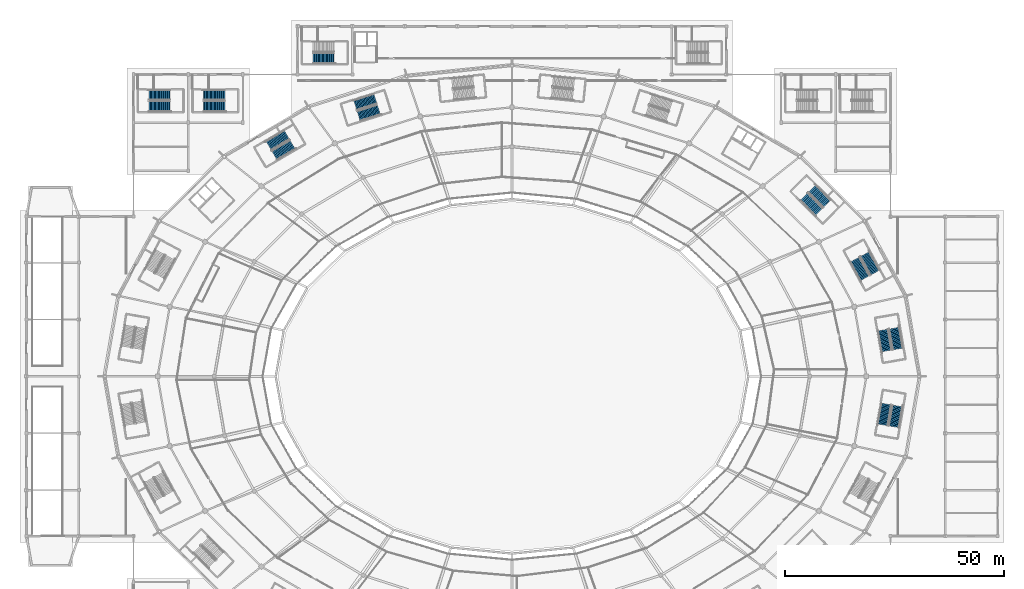
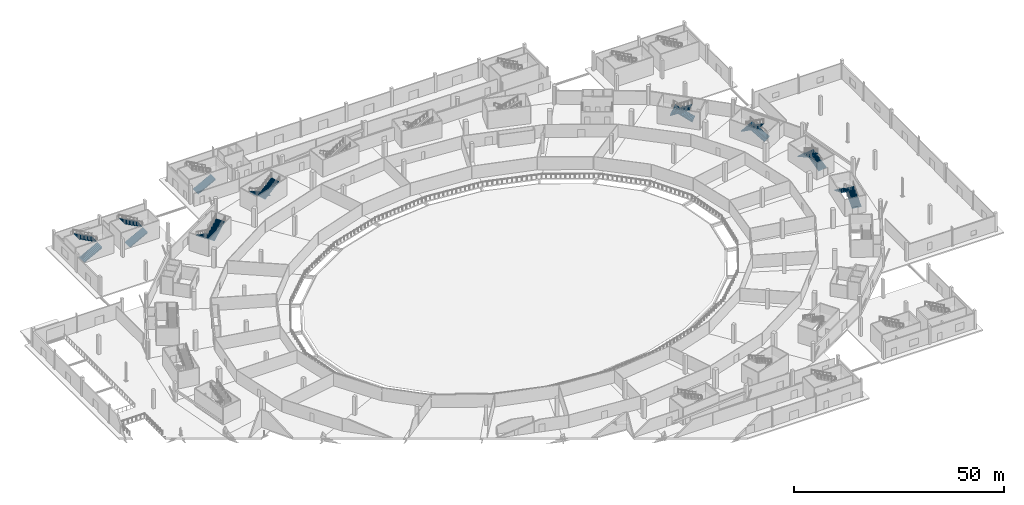
# One storey, part 56 of 82: 17 stair flights, 9 elements without a shape of their own.
"""IFC4 building model written with IfcOpenShell, lengths in metres."""

from ifc_helpers import new_model, si_unit, direction, frame, origin, place, context, subcontext, project, spatial, polyline, outline, extrude, material, type_object, element, aggregate, save


model = new_model("IFC4")

# Units and contexts
model_context = context("Model", 3, precision=1e-05, world=origin(), true_north=direction((0.0, 1.0)))
body_context = subcontext(model_context, "Body", "Model", "MODEL_VIEW")
ifc_project = project(units=[si_unit("LENGTHUNIT", "METRE"), si_unit("AREAUNIT", "SQUARE_METRE"), si_unit("VOLUMEUNIT", "CUBIC_METRE"), si_unit("PLANEANGLEUNIT", "RADIAN"), si_unit("MASSUNIT", "GRAM", prefix="KILO")], contexts=[model_context])

# Site, building, storey
site_placement = place(None, origin())
site = spatial("IfcSite", under=ifc_project, at=site_placement, CompositionType="ELEMENT")
building_placement = place(site_placement, origin())
building = spatial("IfcBuilding", under=site, at=building_placement, Name="Zlatoyarsky Gate Stadium", CompositionType="ELEMENT")
storey_placement = place(building_placement, origin())
storey = spatial("IfcBuildingStorey", under=building, at=storey_placement, Name="L00", CompositionType="ELEMENT", Elevation=0.0)

# Stair, stair flights
ifc_material = material(Name="Concrete C40/50", Category="concrete")
stair_type = type_object("IfcStairType", Name="CONCRETE DOGLEG EXIT STAIR H5400", PredefinedType="TWO_STRAIGHT_RUN_STAIR", material=ifc_material)
stair_1_placement = place(storey_placement, origin())
stair_1 = element("IfcStair", 1, at=stair_1_placement, inside=storey, type_object=stair_type, Name="L00 Exit Stair ST-01", PredefinedType="TWO_STRAIGHT_RUN_STAIR")
stair_flight_type = type_object("IfcStairFlightType", Name="CONCRETE STAIR FLIGHT 2400 H5400", PredefinedType="STRAIGHT", material=ifc_material)
stair_flight_1_placement = place(storey_placement, frame((199.19287109375, 86.28125, 0.0), z_axis=(0.0, 0.0, 1.0), x_axis=(-0.169937754623, 0.985454798331, 0.0)))
stair_flight_1 = element("IfcStairFlight", 2, at=stair_flight_1_placement, type_object=stair_flight_type, Name="ST-DG54 flight 1", NumberOfRisers=17, NumberOfTreads=16, PredefinedType="STRAIGHT", RiserHeight=0.158823529, TreadLength=0.3, context=body_context, shape_type="SweptSolid", body=[
    extrude(outline(polyline([(-0.006103515625, -0.180908203125), (-0.006103515625, 0.0), (0.0, 0.0), (0.0, 0.158935546875), (0.300048828125, 0.158935546875), (0.300048828125, 0.317626953125), (0.60009765625, 0.317626953125), (0.60009765625, 0.4765625), (0.89990234375, 0.4765625), (0.89990234375, 0.63525390625), (1.199951171875, 0.63525390625), (1.199951171875, 0.794189453125), (1.5, 0.794189453125), (1.5, 0.952880859375), (1.800048828125, 0.952880859375), (1.800048828125, 1.11181640625), (2.10009765625, 1.11181640625), (2.10009765625, 1.2705078125), (2.39990234375, 1.2705078125), (2.39990234375, 1.429443359375), (2.699951171875, 1.429443359375), (2.699951171875, 1.588134765625), (3.0, 1.588134765625), (3.0, 1.7470703125), (3.300048828125, 1.7470703125), (3.300048828125, 1.90576171875), (3.60009765625, 1.90576171875), (3.60009765625, 2.064697265625), (3.89990234375, 2.064697265625), (3.89990234375, 2.2236328125), (4.199951171875, 2.2236328125), (4.199951171875, 2.38232421875), (4.5, 2.38232421875), (4.5, 2.541259765625), (4.800048828125, 2.541259765625), (4.800048828125, 2.699951171875), (4.805908203125, 2.699951171875), (4.805908203125, 2.3603515625), (4.800048828125, 2.3603515625), (-0.006103515625, -0.180908203125)])), frame((0.0, 1.199951171875, 0.0), z_axis=(0.0, -1.0, 0.0), x_axis=(1.0, 0.0, 0.0)), (0.0, 0.0, 1.0), 2.39990234375),
])
stair_flight_2_placement = place(storey_placement, frame((195.81494140625, 90.569580078125, 2.699951171875), z_axis=(0.0, 0.0, 1.0), x_axis=(0.169937754623, -0.985454798331, 0.0)))
stair_flight_2 = element("IfcStairFlight", 3, at=stair_flight_2_placement, type_object=stair_flight_type, Name="ST-DG54 flight 2", NumberOfRisers=17, NumberOfTreads=16, PredefinedType="STRAIGHT", RiserHeight=0.158823529, TreadLength=0.3, context=body_context, shape_type="SweptSolid", body=[
    extrude(outline(polyline([(-0.006103515625, -0.180908203125), (-0.006103515625, 0.0), (0.0, 0.0), (0.0, 0.158935546875), (0.300048828125, 0.158935546875), (0.300048828125, 0.317626953125), (0.60009765625, 0.317626953125), (0.60009765625, 0.4765625), (0.89990234375, 0.4765625), (0.89990234375, 0.63525390625), (1.199951171875, 0.63525390625), (1.199951171875, 0.794189453125), (1.5, 0.794189453125), (1.5, 0.952880859375), (1.800048828125, 0.952880859375), (1.800048828125, 1.11181640625), (2.10009765625, 1.11181640625), (2.10009765625, 1.2705078125), (2.39990234375, 1.2705078125), (2.39990234375, 1.429443359375), (2.699951171875, 1.429443359375), (2.699951171875, 1.588134765625), (3.0, 1.588134765625), (3.0, 1.7470703125), (3.300048828125, 1.7470703125), (3.300048828125, 1.90576171875), (3.60009765625, 1.90576171875), (3.60009765625, 2.064697265625), (3.89990234375, 2.064697265625), (3.89990234375, 2.2236328125), (4.199951171875, 2.2236328125), (4.199951171875, 2.38232421875), (4.5, 2.38232421875), (4.5, 2.541259765625), (4.800048828125, 2.541259765625), (4.800048828125, 2.699951171875), (4.805908203125, 2.699951171875), (4.805908203125, 2.3603515625), (4.800048828125, 2.3603515625), (-0.006103515625, -0.180908203125)])), frame((0.0, 1.199951171875, 0.0), z_axis=(0.0, -1.0, 0.0), x_axis=(1.0, 0.0, 0.0)), (0.0, 0.0, 1.0), 2.39990234375),
])
aggregate(stair_1, [stair_flight_1, stair_flight_2])

stair_2_placement = place(storey_placement, origin())
stair_2 = element("IfcStair", 4, at=stair_2_placement, inside=storey, type_object=stair_type, Name="L00 Exit Stair ST-02", PredefinedType="TWO_STRAIGHT_RUN_STAIR")
stair_flight_3_placement = place(storey_placement, frame((182.98193359375, 119.49658203125, 0.0), z_axis=(0.0, 0.0, 1.0), x_axis=(-0.708901395436, 0.70530760066, 0.0)))
stair_flight_3 = element("IfcStairFlight", 5, at=stair_flight_3_placement, type_object=stair_flight_type, Name="ST-DG54 flight 1", NumberOfRisers=17, NumberOfTreads=16, PredefinedType="STRAIGHT", RiserHeight=0.158823529, TreadLength=0.3, context=body_context, shape_type="SweptSolid", body=[
    extrude(outline(polyline([(-0.006103515625, -0.180908203125), (-0.006103515625, 0.0), (0.0, 0.0), (0.0, 0.158935546875), (0.300048828125, 0.158935546875), (0.300048828125, 0.317626953125), (0.60009765625, 0.317626953125), (0.60009765625, 0.4765625), (0.89990234375, 0.4765625), (0.89990234375, 0.63525390625), (1.199951171875, 0.63525390625), (1.199951171875, 0.794189453125), (1.5, 0.794189453125), (1.5, 0.952880859375), (1.800048828125, 0.952880859375), (1.800048828125, 1.11181640625), (2.10009765625, 1.11181640625), (2.10009765625, 1.2705078125), (2.39990234375, 1.2705078125), (2.39990234375, 1.429443359375), (2.699951171875, 1.429443359375), (2.699951171875, 1.588134765625), (3.0, 1.588134765625), (3.0, 1.7470703125), (3.300048828125, 1.7470703125), (3.300048828125, 1.90576171875), (3.60009765625, 1.90576171875), (3.60009765625, 2.064697265625), (3.89990234375, 2.064697265625), (3.89990234375, 2.2236328125), (4.199951171875, 2.2236328125), (4.199951171875, 2.38232421875), (4.5, 2.38232421875), (4.5, 2.541259765625), (4.800048828125, 2.541259765625), (4.800048828125, 2.699951171875), (4.805908203125, 2.699951171875), (4.805908203125, 2.3603515625), (4.800048828125, 2.3603515625), (-0.006103515625, -0.180908203125)])), frame((0.0, 1.199951171875, 0.0), z_axis=(0.0, -1.0, 0.0), x_axis=(1.0, 0.0, 0.0)), (0.0, 0.0, 1.0), 2.39990234375),
])
stair_flight_4_placement = place(storey_placement, frame((177.745361328125, 121.0390625, 2.699951171875), z_axis=(0.0, 0.0, 1.0), x_axis=(0.708901395436, -0.70530760066, 0.0)))
stair_flight_4 = element("IfcStairFlight", 6, at=stair_flight_4_placement, type_object=stair_flight_type, Name="ST-DG54 flight 2", NumberOfRisers=17, NumberOfTreads=16, PredefinedType="STRAIGHT", RiserHeight=0.158823529, TreadLength=0.3, context=body_context, shape_type="SweptSolid", body=[
    extrude(outline(polyline([(-0.006103515625, -0.180908203125), (-0.006103515625, 0.0), (0.0, 0.0), (0.0, 0.158935546875), (0.300048828125, 0.158935546875), (0.300048828125, 0.317626953125), (0.60009765625, 0.317626953125), (0.60009765625, 0.4765625), (0.89990234375, 0.4765625), (0.89990234375, 0.63525390625), (1.199951171875, 0.63525390625), (1.199951171875, 0.794189453125), (1.5, 0.794189453125), (1.5, 0.952880859375), (1.800048828125, 0.952880859375), (1.800048828125, 1.11181640625), (2.10009765625, 1.11181640625), (2.10009765625, 1.2705078125), (2.39990234375, 1.2705078125), (2.39990234375, 1.429443359375), (2.699951171875, 1.429443359375), (2.699951171875, 1.588134765625), (3.0, 1.588134765625), (3.0, 1.7470703125), (3.300048828125, 1.7470703125), (3.300048828125, 1.90576171875), (3.60009765625, 1.90576171875), (3.60009765625, 2.064697265625), (3.89990234375, 2.064697265625), (3.89990234375, 2.2236328125), (4.199951171875, 2.2236328125), (4.199951171875, 2.38232421875), (4.5, 2.38232421875), (4.5, 2.541259765625), (4.800048828125, 2.541259765625), (4.800048828125, 2.699951171875), (4.805908203125, 2.699951171875), (4.805908203125, 2.3603515625), (4.800048828125, 2.3603515625), (-0.006103515625, -0.180908203125)])), frame((0.0, 1.199951171875, 0.0), z_axis=(0.0, -1.0, 0.0), x_axis=(1.0, 0.0, 0.0)), (0.0, 0.0, 1.0), 2.39990234375),
])
aggregate(stair_2, [stair_flight_3, stair_flight_4])

stair_3_placement = place(storey_placement, origin())
stair_3 = element("IfcStair", 7, at=stair_3_placement, inside=storey, type_object=stair_type, Name="L00 Exit Stair ST-05", PredefinedType="TWO_STRAIGHT_RUN_STAIR")
stair_flight_5_placement = place(storey_placement, frame((59.540771484375, 135.1689453125, 0.0), z_axis=(0.0, 0.0, 1.0), x_axis=(-0.86284821159, -0.505463118096, 0.0)))
stair_flight_5 = element("IfcStairFlight", 8, at=stair_flight_5_placement, type_object=stair_flight_type, Name="ST-DG54 flight 1", NumberOfRisers=17, NumberOfTreads=16, PredefinedType="STRAIGHT", RiserHeight=0.158823529, TreadLength=0.3, context=body_context, shape_type="SweptSolid", body=[
    extrude(outline(polyline([(-0.006103515625, -0.180908203125), (-0.006103515625, 0.0), (0.0, 0.0), (0.0, 0.158935546875), (0.300048828125, 0.158935546875), (0.300048828125, 0.317626953125), (0.60009765625, 0.317626953125), (0.60009765625, 0.4765625), (0.89990234375, 0.4765625), (0.89990234375, 0.63525390625), (1.199951171875, 0.63525390625), (1.199951171875, 0.794189453125), (1.5, 0.794189453125), (1.5, 0.952880859375), (1.800048828125, 0.952880859375), (1.800048828125, 1.11181640625), (2.10009765625, 1.11181640625), (2.10009765625, 1.2705078125), (2.39990234375, 1.2705078125), (2.39990234375, 1.429443359375), (2.699951171875, 1.429443359375), (2.699951171875, 1.588134765625), (3.0, 1.588134765625), (3.0, 1.7470703125), (3.300048828125, 1.7470703125), (3.300048828125, 1.90576171875), (3.60009765625, 1.90576171875), (3.60009765625, 2.064697265625), (3.89990234375, 2.064697265625), (3.89990234375, 2.2236328125), (4.199951171875, 2.2236328125), (4.199951171875, 2.38232421875), (4.5, 2.38232421875), (4.5, 2.541259765625), (4.800048828125, 2.541259765625), (4.800048828125, 2.699951171875), (4.805908203125, 2.699951171875), (4.805908203125, 2.3603515625), (4.800048828125, 2.3603515625), (-0.006103515625, -0.180908203125)])), frame((0.0, 1.199951171875, 0.0), z_axis=(0.0, -1.0, 0.0), x_axis=(1.0, 0.0, 0.0)), (0.0, 0.0, 1.0), 2.39990234375),
])
stair_flight_6_placement = place(storey_placement, frame((56.71337890625, 130.499267578125, 2.699951171875), z_axis=(0.0, 0.0, 1.0), x_axis=(0.86284821159, 0.505463118096, 0.0)))
stair_flight_6 = element("IfcStairFlight", 9, at=stair_flight_6_placement, type_object=stair_flight_type, Name="ST-DG54 flight 2", NumberOfRisers=17, NumberOfTreads=16, PredefinedType="STRAIGHT", RiserHeight=0.158823529, TreadLength=0.3, context=body_context, shape_type="SweptSolid", body=[
    extrude(outline(polyline([(-0.006103515625, -0.180908203125), (-0.006103515625, 0.0), (0.0, 0.0), (0.0, 0.158935546875), (0.300048828125, 0.158935546875), (0.300048828125, 0.317626953125), (0.60009765625, 0.317626953125), (0.60009765625, 0.4765625), (0.89990234375, 0.4765625), (0.89990234375, 0.63525390625), (1.199951171875, 0.63525390625), (1.199951171875, 0.794189453125), (1.5, 0.794189453125), (1.5, 0.952880859375), (1.800048828125, 0.952880859375), (1.800048828125, 1.11181640625), (2.10009765625, 1.11181640625), (2.10009765625, 1.2705078125), (2.39990234375, 1.2705078125), (2.39990234375, 1.429443359375), (2.699951171875, 1.429443359375), (2.699951171875, 1.588134765625), (3.0, 1.588134765625), (3.0, 1.7470703125), (3.300048828125, 1.7470703125), (3.300048828125, 1.90576171875), (3.60009765625, 1.90576171875), (3.60009765625, 2.064697265625), (3.89990234375, 2.064697265625), (3.89990234375, 2.2236328125), (4.199951171875, 2.2236328125), (4.199951171875, 2.38232421875), (4.5, 2.38232421875), (4.5, 2.541259765625), (4.800048828125, 2.541259765625), (4.800048828125, 2.699951171875), (4.805908203125, 2.699951171875), (4.805908203125, 2.3603515625), (4.800048828125, 2.3603515625), (-0.006103515625, -0.180908203125)])), frame((0.0, 1.199951171875, 0.0), z_axis=(0.0, -1.0, 0.0), x_axis=(1.0, 0.0, 0.0)), (0.0, 0.0, 1.0), 2.39990234375),
])
aggregate(stair_3, [stair_flight_5, stair_flight_6])

stair_4_placement = place(storey_placement, origin())
stair_4 = element("IfcStair", 10, at=stair_4_placement, inside=storey, type_object=stair_type, Name="L00 Exit Stair ST-13", PredefinedType="TWO_STRAIGHT_RUN_STAIR")
stair_flight_7_placement = place(storey_placement, frame((193.9755859375, 103.715087890625, 0.0), z_axis=(0.0, 0.0, 1.0), x_axis=(-0.476890318595, 0.878962811518, 0.0)))
stair_flight_7 = element("IfcStairFlight", 11, at=stair_flight_7_placement, type_object=stair_flight_type, Name="ST-DG54 flight 1", NumberOfRisers=17, NumberOfTreads=16, PredefinedType="STRAIGHT", RiserHeight=0.158823529, TreadLength=0.3, context=body_context, shape_type="SweptSolid", body=[
    extrude(outline(polyline([(-0.006103515625, -0.180908203125), (-0.006103515625, 0.0), (0.0, 0.0), (0.0, 0.158935546875), (0.300048828125, 0.158935546875), (0.300048828125, 0.317626953125), (0.60009765625, 0.317626953125), (0.60009765625, 0.4765625), (0.89990234375, 0.4765625), (0.89990234375, 0.63525390625), (1.199951171875, 0.63525390625), (1.199951171875, 0.794189453125), (1.5, 0.794189453125), (1.5, 0.952880859375), (1.800048828125, 0.952880859375), (1.800048828125, 1.11181640625), (2.10009765625, 1.11181640625), (2.10009765625, 1.2705078125), (2.39990234375, 1.2705078125), (2.39990234375, 1.429443359375), (2.699951171875, 1.429443359375), (2.699951171875, 1.588134765625), (3.0, 1.588134765625), (3.0, 1.7470703125), (3.300048828125, 1.7470703125), (3.300048828125, 1.90576171875), (3.60009765625, 1.90576171875), (3.60009765625, 2.064697265625), (3.89990234375, 2.064697265625), (3.89990234375, 2.2236328125), (4.199951171875, 2.2236328125), (4.199951171875, 2.38232421875), (4.5, 2.38232421875), (4.5, 2.541259765625), (4.800048828125, 2.541259765625), (4.800048828125, 2.699951171875), (4.805908203125, 2.699951171875), (4.805908203125, 2.3603515625), (4.800048828125, 2.3603515625), (-0.006103515625, -0.180908203125)])), frame((0.0, 1.199951171875, 0.0), z_axis=(0.0, -1.0, 0.0), x_axis=(1.0, 0.0, 0.0)), (0.0, 0.0, 1.0), 2.39990234375),
])
stair_flight_8_placement = place(storey_placement, frame((189.4013671875, 106.694091796875, 2.699951171875), z_axis=(0.0, 0.0, 1.0), x_axis=(0.476890318595, -0.878962811518, 0.0)))
stair_flight_8 = element("IfcStairFlight", 12, at=stair_flight_8_placement, type_object=stair_flight_type, Name="ST-DG54 flight 2", NumberOfRisers=17, NumberOfTreads=16, PredefinedType="STRAIGHT", RiserHeight=0.158823529, TreadLength=0.3, context=body_context, shape_type="SweptSolid", body=[
    extrude(outline(polyline([(-0.006103515625, -0.180908203125), (-0.006103515625, 0.0), (0.0, 0.0), (0.0, 0.158935546875), (0.300048828125, 0.158935546875), (0.300048828125, 0.317626953125), (0.60009765625, 0.317626953125), (0.60009765625, 0.4765625), (0.89990234375, 0.4765625), (0.89990234375, 0.63525390625), (1.199951171875, 0.63525390625), (1.199951171875, 0.794189453125), (1.5, 0.794189453125), (1.5, 0.952880859375), (1.800048828125, 0.952880859375), (1.800048828125, 1.11181640625), (2.10009765625, 1.11181640625), (2.10009765625, 1.2705078125), (2.39990234375, 1.2705078125), (2.39990234375, 1.429443359375), (2.699951171875, 1.429443359375), (2.699951171875, 1.588134765625), (3.0, 1.588134765625), (3.0, 1.7470703125), (3.300048828125, 1.7470703125), (3.300048828125, 1.90576171875), (3.60009765625, 1.90576171875), (3.60009765625, 2.064697265625), (3.89990234375, 2.064697265625), (3.89990234375, 2.2236328125), (4.199951171875, 2.2236328125), (4.199951171875, 2.38232421875), (4.5, 2.38232421875), (4.5, 2.541259765625), (4.800048828125, 2.541259765625), (4.800048828125, 2.699951171875), (4.805908203125, 2.699951171875), (4.805908203125, 2.3603515625), (4.800048828125, 2.3603515625), (-0.006103515625, -0.180908203125)])), frame((0.0, 1.199951171875, 0.0), z_axis=(0.0, -1.0, 0.0), x_axis=(1.0, 0.0, 0.0)), (0.0, 0.0, 1.0), 2.39990234375),
])
aggregate(stair_4, [stair_flight_7, stair_flight_8])

stair_5_placement = place(storey_placement, origin())
stair_5 = element("IfcStair", 13, at=stair_5_placement, inside=storey, type_object=stair_type, Name="L00 Exit Stair ST-14", PredefinedType="TWO_STRAIGHT_RUN_STAIR")
stair_flight_9_placement = place(storey_placement, frame((79.76171875, 143.41796875, 0.0), z_axis=(0.0, 0.0, 1.0), x_axis=(-0.953463118711, -0.301509670257, 0.0)))
stair_flight_9 = element("IfcStairFlight", 14, at=stair_flight_9_placement, type_object=stair_flight_type, Name="ST-DG54 flight 1", NumberOfRisers=17, NumberOfTreads=16, PredefinedType="STRAIGHT", RiserHeight=0.158823529, TreadLength=0.3, context=body_context, shape_type="SweptSolid", body=[
    extrude(outline(polyline([(-0.006103515625, -0.180908203125), (-0.006103515625, 0.0), (0.0, 0.0), (0.0, 0.158935546875), (0.300048828125, 0.158935546875), (0.300048828125, 0.317626953125), (0.60009765625, 0.317626953125), (0.60009765625, 0.4765625), (0.89990234375, 0.4765625), (0.89990234375, 0.63525390625), (1.199951171875, 0.63525390625), (1.199951171875, 0.794189453125), (1.5, 0.794189453125), (1.5, 0.952880859375), (1.800048828125, 0.952880859375), (1.800048828125, 1.11181640625), (2.10009765625, 1.11181640625), (2.10009765625, 1.2705078125), (2.39990234375, 1.2705078125), (2.39990234375, 1.429443359375), (2.699951171875, 1.429443359375), (2.699951171875, 1.588134765625), (3.0, 1.588134765625), (3.0, 1.7470703125), (3.300048828125, 1.7470703125), (3.300048828125, 1.90576171875), (3.60009765625, 1.90576171875), (3.60009765625, 2.064697265625), (3.89990234375, 2.064697265625), (3.89990234375, 2.2236328125), (4.199951171875, 2.2236328125), (4.199951171875, 2.38232421875), (4.5, 2.38232421875), (4.5, 2.541259765625), (4.800048828125, 2.541259765625), (4.800048828125, 2.699951171875), (4.805908203125, 2.699951171875), (4.805908203125, 2.3603515625), (4.800048828125, 2.3603515625), (-0.006103515625, -0.180908203125)])), frame((0.0, 1.199951171875, 0.0), z_axis=(0.0, -1.0, 0.0), x_axis=(1.0, 0.0, 0.0)), (0.0, 0.0, 1.0), 2.39990234375),
])
stair_flight_10_placement = place(storey_placement, frame((75.96923828125, 139.49169921875, 2.699951171875), z_axis=(0.0, 0.0, 1.0), x_axis=(0.953463118711, 0.301509670257, 0.0)))
stair_flight_10 = element("IfcStairFlight", 15, at=stair_flight_10_placement, type_object=stair_flight_type, Name="ST-DG54 flight 2", NumberOfRisers=17, NumberOfTreads=16, PredefinedType="STRAIGHT", RiserHeight=0.158823529, TreadLength=0.3, context=body_context, shape_type="SweptSolid", body=[
    extrude(outline(polyline([(-0.006103515625, -0.180908203125), (-0.006103515625, 0.0), (0.0, 0.0), (0.0, 0.158935546875), (0.300048828125, 0.158935546875), (0.300048828125, 0.317626953125), (0.60009765625, 0.317626953125), (0.60009765625, 0.4765625), (0.89990234375, 0.4765625), (0.89990234375, 0.63525390625), (1.199951171875, 0.63525390625), (1.199951171875, 0.794189453125), (1.5, 0.794189453125), (1.5, 0.952880859375), (1.800048828125, 0.952880859375), (1.800048828125, 1.11181640625), (2.10009765625, 1.11181640625), (2.10009765625, 1.2705078125), (2.39990234375, 1.2705078125), (2.39990234375, 1.429443359375), (2.699951171875, 1.429443359375), (2.699951171875, 1.588134765625), (3.0, 1.588134765625), (3.0, 1.7470703125), (3.300048828125, 1.7470703125), (3.300048828125, 1.90576171875), (3.60009765625, 1.90576171875), (3.60009765625, 2.064697265625), (3.89990234375, 2.064697265625), (3.89990234375, 2.2236328125), (4.199951171875, 2.2236328125), (4.199951171875, 2.38232421875), (4.5, 2.38232421875), (4.5, 2.541259765625), (4.800048828125, 2.541259765625), (4.800048828125, 2.699951171875), (4.805908203125, 2.699951171875), (4.805908203125, 2.3603515625), (4.800048828125, 2.3603515625), (-0.006103515625, -0.180908203125)])), frame((0.0, 1.199951171875, 0.0), z_axis=(0.0, -1.0, 0.0), x_axis=(1.0, 0.0, 0.0)), (0.0, 0.0, 1.0), 2.39990234375),
])
aggregate(stair_5, [stair_flight_9, stair_flight_10])

stair_6_placement = place(storey_placement, origin())
stair_6 = element("IfcStair", 16, at=stair_6_placement, inside=storey, type_object=stair_type, Name="L00 Exit Stair ST-20", PredefinedType="TWO_STRAIGHT_RUN_STAIR")
stair_flight_11_placement = place(storey_placement, frame((198.292236328125, 68.495849609375, 0.0), z_axis=(0.0, 0.0, 1.0), x_axis=(0.169937754623, 0.985454798331, 0.0)))
stair_flight_11 = element("IfcStairFlight", 17, at=stair_flight_11_placement, type_object=stair_flight_type, Name="ST-DG54 flight 1", NumberOfRisers=17, NumberOfTreads=16, PredefinedType="STRAIGHT", RiserHeight=0.158823529, TreadLength=0.3, context=body_context, shape_type="SweptSolid", body=[
    extrude(outline(polyline([(-0.006103515625, -0.180908203125), (-0.006103515625, 0.0), (0.0, 0.0), (0.0, 0.158935546875), (0.300048828125, 0.158935546875), (0.300048828125, 0.317626953125), (0.60009765625, 0.317626953125), (0.60009765625, 0.4765625), (0.89990234375, 0.4765625), (0.89990234375, 0.63525390625), (1.199951171875, 0.63525390625), (1.199951171875, 0.794189453125), (1.5, 0.794189453125), (1.5, 0.952880859375), (1.800048828125, 0.952880859375), (1.800048828125, 1.11181640625), (2.10009765625, 1.11181640625), (2.10009765625, 1.2705078125), (2.39990234375, 1.2705078125), (2.39990234375, 1.429443359375), (2.699951171875, 1.429443359375), (2.699951171875, 1.588134765625), (3.0, 1.588134765625), (3.0, 1.7470703125), (3.300048828125, 1.7470703125), (3.300048828125, 1.90576171875), (3.60009765625, 1.90576171875), (3.60009765625, 2.064697265625), (3.89990234375, 2.064697265625), (3.89990234375, 2.2236328125), (4.199951171875, 2.2236328125), (4.199951171875, 2.38232421875), (4.5, 2.38232421875), (4.5, 2.541259765625), (4.800048828125, 2.541259765625), (4.800048828125, 2.699951171875), (4.805908203125, 2.699951171875), (4.805908203125, 2.3603515625), (4.800048828125, 2.3603515625), (-0.006103515625, -0.180908203125)])), frame((0.0, 1.199951171875, 0.0), z_axis=(0.0, -1.0, 0.0), x_axis=(1.0, 0.0, 0.0)), (0.0, 0.0, 1.0), 2.39990234375),
])
stair_flight_12_placement = place(storey_placement, frame((196.545654296875, 73.66796875, 2.699951171875), z_axis=(0.0, 0.0, 1.0), x_axis=(-0.169937754623, -0.985454798331, 0.0)))
stair_flight_12 = element("IfcStairFlight", 18, at=stair_flight_12_placement, type_object=stair_flight_type, Name="ST-DG54 flight 2", NumberOfRisers=17, NumberOfTreads=16, PredefinedType="STRAIGHT", RiserHeight=0.158823529, TreadLength=0.3, context=body_context, shape_type="SweptSolid", body=[
    extrude(outline(polyline([(-0.006103515625, -0.180908203125), (-0.006103515625, 0.0), (0.0, 0.0), (0.0, 0.158935546875), (0.300048828125, 0.158935546875), (0.300048828125, 0.317626953125), (0.60009765625, 0.317626953125), (0.60009765625, 0.4765625), (0.89990234375, 0.4765625), (0.89990234375, 0.63525390625), (1.199951171875, 0.63525390625), (1.199951171875, 0.794189453125), (1.5, 0.794189453125), (1.5, 0.952880859375), (1.800048828125, 0.952880859375), (1.800048828125, 1.11181640625), (2.10009765625, 1.11181640625), (2.10009765625, 1.2705078125), (2.39990234375, 1.2705078125), (2.39990234375, 1.429443359375), (2.699951171875, 1.429443359375), (2.699951171875, 1.588134765625), (3.0, 1.588134765625), (3.0, 1.7470703125), (3.300048828125, 1.7470703125), (3.300048828125, 1.90576171875), (3.60009765625, 1.90576171875), (3.60009765625, 2.064697265625), (3.89990234375, 2.064697265625), (3.89990234375, 2.2236328125), (4.199951171875, 2.2236328125), (4.199951171875, 2.38232421875), (4.5, 2.38232421875), (4.5, 2.541259765625), (4.800048828125, 2.541259765625), (4.800048828125, 2.699951171875), (4.805908203125, 2.699951171875), (4.805908203125, 2.3603515625), (4.800048828125, 2.3603515625), (-0.006103515625, -0.180908203125)])), frame((0.0, 1.199951171875, 0.0), z_axis=(0.0, -1.0, 0.0), x_axis=(1.0, 0.0, 0.0)), (0.0, 0.0, 1.0), 2.39990234375),
])
aggregate(stair_6, [stair_flight_11, stair_flight_12])

stair_7_placement = place(storey_placement, origin())
stair_7 = element("IfcStair", 19, at=stair_7_placement, inside=storey, type_object=stair_type, Name="L00 Exit Stair ST-25", PredefinedType="TWO_STRAIGHT_RUN_STAIR")
stair_flight_13_placement = place(storey_placement, frame((28.050048828125, 141.699951171875, 0.0), z_axis=(0.0, 0.0, 1.0), x_axis=(1.0, 0.0, 0.0)))
stair_flight_13 = element("IfcStairFlight", 20, at=stair_flight_13_placement, type_object=stair_flight_type, Name="ST-DG54 flight 1", NumberOfRisers=17, NumberOfTreads=16, PredefinedType="STRAIGHT", RiserHeight=0.158823529, TreadLength=0.3, context=body_context, shape_type="SweptSolid", body=[
    extrude(outline(polyline([(-0.006103515625, -0.180908203125), (-0.006103515625, 0.0), (0.0, 0.0), (0.0, 0.158935546875), (0.300048828125, 0.158935546875), (0.300048828125, 0.317626953125), (0.60009765625, 0.317626953125), (0.60009765625, 0.4765625), (0.89990234375, 0.4765625), (0.89990234375, 0.63525390625), (1.199951171875, 0.63525390625), (1.199951171875, 0.794189453125), (1.5, 0.794189453125), (1.5, 0.952880859375), (1.800048828125, 0.952880859375), (1.800048828125, 1.11181640625), (2.10009765625, 1.11181640625), (2.10009765625, 1.2705078125), (2.39990234375, 1.2705078125), (2.39990234375, 1.429443359375), (2.699951171875, 1.429443359375), (2.699951171875, 1.588134765625), (3.0, 1.588134765625), (3.0, 1.7470703125), (3.300048828125, 1.7470703125), (3.300048828125, 1.90576171875), (3.60009765625, 1.90576171875), (3.60009765625, 2.064697265625), (3.89990234375, 2.064697265625), (3.89990234375, 2.2236328125), (4.199951171875, 2.2236328125), (4.199951171875, 2.38232421875), (4.5, 2.38232421875), (4.5, 2.541259765625), (4.800048828125, 2.541259765625), (4.800048828125, 2.699951171875), (4.805908203125, 2.699951171875), (4.805908203125, 2.3603515625), (4.800048828125, 2.3603515625), (-0.006103515625, -0.180908203125)])), frame((0.0, 1.199951171875, 0.0), z_axis=(0.0, -1.0, 0.0), x_axis=(1.0, 0.0, 0.0)), (0.0, 0.0, 1.0), 2.39990234375),
])
stair_flight_14_placement = place(storey_placement, frame((32.85009765625, 144.300048828125, 2.699951171875), z_axis=(0.0, 0.0, 1.0), x_axis=(-1.0, 0.0, 0.0)))
stair_flight_14 = element("IfcStairFlight", 21, at=stair_flight_14_placement, type_object=stair_flight_type, Name="ST-DG54 flight 2", NumberOfRisers=17, NumberOfTreads=16, PredefinedType="STRAIGHT", RiserHeight=0.158823529, TreadLength=0.3, context=body_context, shape_type="SweptSolid", body=[
    extrude(outline(polyline([(-0.006103515625, -0.180908203125), (-0.006103515625, 0.0), (0.0, 0.0), (0.0, 0.158935546875), (0.300048828125, 0.158935546875), (0.300048828125, 0.317626953125), (0.60009765625, 0.317626953125), (0.60009765625, 0.4765625), (0.89990234375, 0.4765625), (0.89990234375, 0.63525390625), (1.199951171875, 0.63525390625), (1.199951171875, 0.794189453125), (1.5, 0.794189453125), (1.5, 0.952880859375), (1.800048828125, 0.952880859375), (1.800048828125, 1.11181640625), (2.10009765625, 1.11181640625), (2.10009765625, 1.2705078125), (2.39990234375, 1.2705078125), (2.39990234375, 1.429443359375), (2.699951171875, 1.429443359375), (2.699951171875, 1.588134765625), (3.0, 1.588134765625), (3.0, 1.7470703125), (3.300048828125, 1.7470703125), (3.300048828125, 1.90576171875), (3.60009765625, 1.90576171875), (3.60009765625, 2.064697265625), (3.89990234375, 2.064697265625), (3.89990234375, 2.2236328125), (4.199951171875, 2.2236328125), (4.199951171875, 2.38232421875), (4.5, 2.38232421875), (4.5, 2.541259765625), (4.800048828125, 2.541259765625), (4.800048828125, 2.699951171875), (4.805908203125, 2.699951171875), (4.805908203125, 2.3603515625), (4.800048828125, 2.3603515625), (-0.006103515625, -0.180908203125)])), frame((0.0, 1.199951171875, 0.0), z_axis=(0.0, -1.0, 0.0), x_axis=(1.0, 0.0, 0.0)), (0.0, 0.0, 1.0), 2.39990234375),
])
aggregate(stair_7, [stair_flight_13, stair_flight_14])

stair_8_placement = place(storey_placement, origin())
stair_8 = element("IfcStair", 22, at=stair_8_placement, inside=storey, type_object=stair_type, Name="L00 Exit Stair ST-26", PredefinedType="TWO_STRAIGHT_RUN_STAIR")
stair_flight_15_placement = place(storey_placement, frame((40.550048828125, 141.699951171875, 0.0), z_axis=(0.0, 0.0, 1.0), x_axis=(1.0, 0.0, 0.0)))
stair_flight_15 = element("IfcStairFlight", 23, at=stair_flight_15_placement, type_object=stair_flight_type, Name="ST-DG54 flight 1", NumberOfRisers=17, NumberOfTreads=16, PredefinedType="STRAIGHT", RiserHeight=0.158823529, TreadLength=0.3, context=body_context, shape_type="SweptSolid", body=[
    extrude(outline(polyline([(-0.006103515625, -0.180908203125), (-0.006103515625, 0.0), (0.0, 0.0), (0.0, 0.158935546875), (0.300048828125, 0.158935546875), (0.300048828125, 0.317626953125), (0.60009765625, 0.317626953125), (0.60009765625, 0.4765625), (0.89990234375, 0.4765625), (0.89990234375, 0.63525390625), (1.199951171875, 0.63525390625), (1.199951171875, 0.794189453125), (1.5, 0.794189453125), (1.5, 0.952880859375), (1.800048828125, 0.952880859375), (1.800048828125, 1.11181640625), (2.10009765625, 1.11181640625), (2.10009765625, 1.2705078125), (2.39990234375, 1.2705078125), (2.39990234375, 1.429443359375), (2.699951171875, 1.429443359375), (2.699951171875, 1.588134765625), (3.0, 1.588134765625), (3.0, 1.7470703125), (3.300048828125, 1.7470703125), (3.300048828125, 1.90576171875), (3.60009765625, 1.90576171875), (3.60009765625, 2.064697265625), (3.89990234375, 2.064697265625), (3.89990234375, 2.2236328125), (4.199951171875, 2.2236328125), (4.199951171875, 2.38232421875), (4.5, 2.38232421875), (4.5, 2.541259765625), (4.800048828125, 2.541259765625), (4.800048828125, 2.699951171875), (4.805908203125, 2.699951171875), (4.805908203125, 2.3603515625), (4.800048828125, 2.3603515625), (-0.006103515625, -0.180908203125)])), frame((0.0, 1.199951171875, 0.0), z_axis=(0.0, -1.0, 0.0), x_axis=(1.0, 0.0, 0.0)), (0.0, 0.0, 1.0), 2.39990234375),
])
stair_flight_16_placement = place(storey_placement, frame((45.35009765625, 144.300048828125, 2.699951171875), z_axis=(0.0, 0.0, 1.0), x_axis=(-1.0, 0.0, 0.0)))
stair_flight_16 = element("IfcStairFlight", 24, at=stair_flight_16_placement, type_object=stair_flight_type, Name="ST-DG54 flight 2", NumberOfRisers=17, NumberOfTreads=16, PredefinedType="STRAIGHT", RiserHeight=0.158823529, TreadLength=0.3, context=body_context, shape_type="SweptSolid", body=[
    extrude(outline(polyline([(-0.006103515625, -0.180908203125), (-0.006103515625, 0.0), (0.0, 0.0), (0.0, 0.158935546875), (0.300048828125, 0.158935546875), (0.300048828125, 0.317626953125), (0.60009765625, 0.317626953125), (0.60009765625, 0.4765625), (0.89990234375, 0.4765625), (0.89990234375, 0.63525390625), (1.199951171875, 0.63525390625), (1.199951171875, 0.794189453125), (1.5, 0.794189453125), (1.5, 0.952880859375), (1.800048828125, 0.952880859375), (1.800048828125, 1.11181640625), (2.10009765625, 1.11181640625), (2.10009765625, 1.2705078125), (2.39990234375, 1.2705078125), (2.39990234375, 1.429443359375), (2.699951171875, 1.429443359375), (2.699951171875, 1.588134765625), (3.0, 1.588134765625), (3.0, 1.7470703125), (3.300048828125, 1.7470703125), (3.300048828125, 1.90576171875), (3.60009765625, 1.90576171875), (3.60009765625, 2.064697265625), (3.89990234375, 2.064697265625), (3.89990234375, 2.2236328125), (4.199951171875, 2.2236328125), (4.199951171875, 2.38232421875), (4.5, 2.38232421875), (4.5, 2.541259765625), (4.800048828125, 2.541259765625), (4.800048828125, 2.699951171875), (4.805908203125, 2.699951171875), (4.805908203125, 2.3603515625), (4.800048828125, 2.3603515625), (-0.006103515625, -0.180908203125)])), frame((0.0, 1.199951171875, 0.0), z_axis=(0.0, -1.0, 0.0), x_axis=(1.0, 0.0, 0.0)), (0.0, 0.0, 1.0), 2.39990234375),
])
aggregate(stair_8, [stair_flight_15, stair_flight_16])

# Stair, stair flight
stair_9_placement = place(storey_placement, origin())
stair_9 = element("IfcStair", 25, at=stair_9_placement, inside=storey, type_object=stair_type, Name="L00 Exit Stair ST-31", PredefinedType="TWO_STRAIGHT_RUN_STAIR")
stair_flight_17_placement = place(storey_placement, frame((65.550048828125, 152.699951171875, 0.0), z_axis=(0.0, 0.0, 1.0), x_axis=(1.0, 0.0, 0.0)))
stair_flight_17 = element("IfcStairFlight", 26, at=stair_flight_17_placement, type_object=stair_flight_type, Name="ST-DG54 flight 1", NumberOfRisers=17, NumberOfTreads=16, PredefinedType="STRAIGHT", RiserHeight=0.158823529, TreadLength=0.3, context=body_context, shape_type="SweptSolid", body=[
    extrude(outline(polyline([(-0.006103515625, -0.180908203125), (-0.006103515625, 0.0), (0.0, 0.0), (0.0, 0.158935546875), (0.300048828125, 0.158935546875), (0.300048828125, 0.317626953125), (0.60009765625, 0.317626953125), (0.60009765625, 0.4765625), (0.89990234375, 0.4765625), (0.89990234375, 0.63525390625), (1.199951171875, 0.63525390625), (1.199951171875, 0.794189453125), (1.5, 0.794189453125), (1.5, 0.952880859375), (1.800048828125, 0.952880859375), (1.800048828125, 1.11181640625), (2.10009765625, 1.11181640625), (2.10009765625, 1.2705078125), (2.39990234375, 1.2705078125), (2.39990234375, 1.429443359375), (2.699951171875, 1.429443359375), (2.699951171875, 1.588134765625), (3.0, 1.588134765625), (3.0, 1.7470703125), (3.300048828125, 1.7470703125), (3.300048828125, 1.90576171875), (3.60009765625, 1.90576171875), (3.60009765625, 2.064697265625), (3.89990234375, 2.064697265625), (3.89990234375, 2.2236328125), (4.199951171875, 2.2236328125), (4.199951171875, 2.38232421875), (4.5, 2.38232421875), (4.5, 2.541259765625), (4.800048828125, 2.541259765625), (4.800048828125, 2.699951171875), (4.805908203125, 2.699951171875), (4.805908203125, 2.3603515625), (4.800048828125, 2.3603515625), (-0.006103515625, -0.180908203125)])), frame((0.0, 1.199951171875, 0.0), z_axis=(0.0, -1.0, 0.0), x_axis=(1.0, 0.0, 0.0)), (0.0, 0.0, 1.0), 2.39990234375),
])
aggregate(stair_9, [stair_flight_17])

save(model, "model.ifc")
